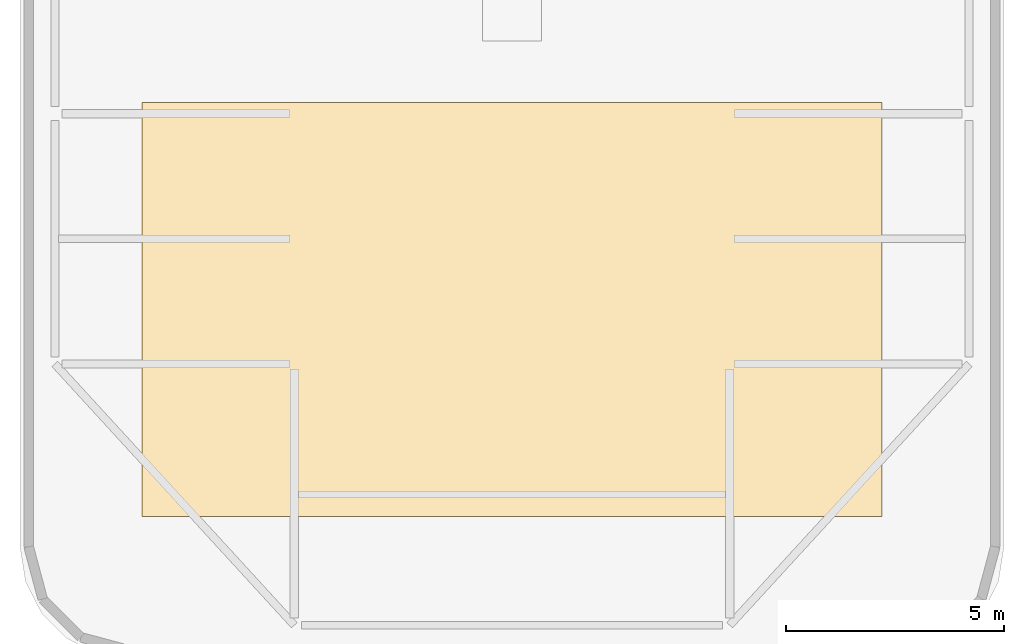
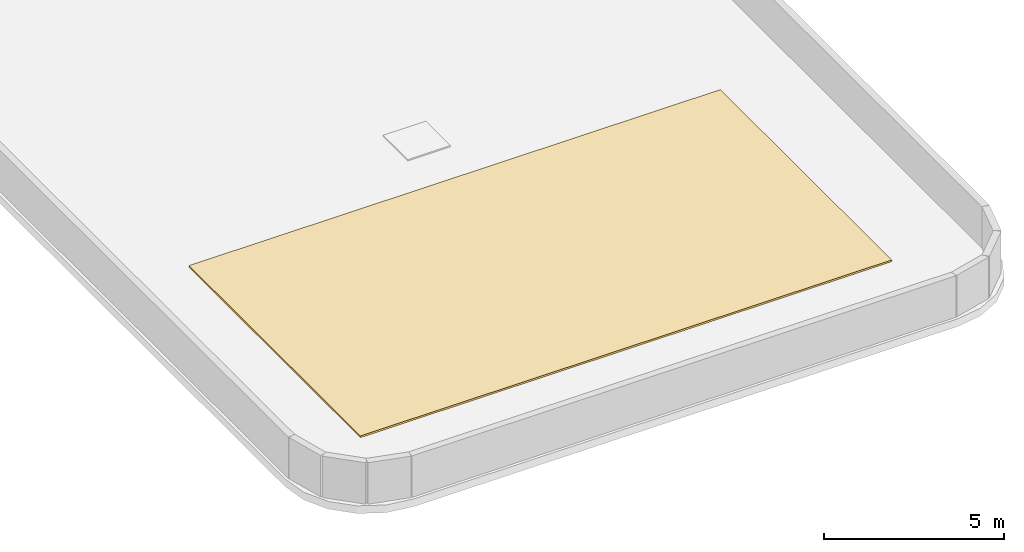
# One storey, part 2 of 2: 1 covering.
"""IFC4 building model written with IfcOpenShell, lengths in metres."""

import ifcopenshell
import ifcopenshell.guid

model = None  # the IFC model being written
_history = None  # IfcOwnerHistory: only IFC2X3 demands one
_inside = {}  # id of a spatial element -> (the spatial element, [elements in it])
_under = {}  # id of a project, library or spatial element -> (it, [spatial elements below it])
_declared = {}  # id of a project -> (the project, [libraries it declares])
_typed = {}  # id of a type object -> (the type object, [elements of that type])
_made_of = {}  # id of a material, layer set ... -> (it, [elements and type objects made of it])


def new_model(schema):
    """Start an empty IFC model of exactly this schema.

    Asked for "IFC4X3", IfcOpenShell would pick the latest addendum, in which some entities
    have other attributes; the version numbers below select the first issue.
    IFC2X3 requires an IfcOwnerHistory on every rooted entity: one is made here for all.
    """
    global model, _history
    if schema == "IFC4X3":
        model = ifcopenshell.file(schema_version=(4, 3, 0, 0))
    else:
        model = ifcopenshell.file(schema=schema)
    _inside.clear()
    _under.clear()
    _declared.clear()
    _typed.clear()
    _made_of.clear()
    _history = None
    if model.schema == "IFC2X3":
        org = make("IfcOrganization", Name="unknown")
        user = make(
            "IfcPersonAndOrganization",
            ThePerson=make("IfcPerson", FamilyName="unknown"),
            TheOrganization=org,
        )
        app = make(
            "IfcApplication",
            ApplicationDeveloper=org,
            Version="unknown",
            ApplicationFullName="unknown",
            ApplicationIdentifier="unknown",
        )
        _history = make(
            "IfcOwnerHistory",
            OwningUser=user,
            OwningApplication=app,
            ChangeAction="ADDED",
            CreationDate=0,
        )
    return model


def make(cls, **values):
    """One entity of the class cls with the attributes given. An attribute that is None is left unset."""
    return model.create_entity(
        cls, **{name: value for name, value in values.items() if value is not None}
    )


def rooted(cls, **values):
    """An entity with a GlobalId (a new one), such as an element, a storey or a relation."""
    return make(cls, GlobalId=ifcopenshell.guid.new(), OwnerHistory=_history, **values)


def si_unit(unit_type, name, prefix=None):
    """IfcSIUnit, for example si_unit("LENGTHUNIT", "METRE", prefix="MILLI")."""
    return make("IfcSIUnit", UnitType=unit_type, Prefix=prefix, Name=name)


def assignment(units):
    """IfcUnitAssignment: the units of a project."""
    return None if units is None else make("IfcUnitAssignment", Units=units)


def point(xyz):
    """IfcCartesianPoint."""
    return None if xyz is None else make("IfcCartesianPoint", Coordinates=xyz)


def direction(xyz):
    """IfcDirection."""
    return None if xyz is None else make("IfcDirection", DirectionRatios=xyz)


def frame(location, z_axis=None, x_axis=None):
    """IfcAxis2Placement3D, a coordinate frame: its origin and axes. An axis left out is left unset."""
    return make(
        "IfcAxis2Placement3D",
        Location=point(location),
        Axis=direction(z_axis),
        RefDirection=direction(x_axis),
    )


def origin():
    """The frame at (0, 0, 0) with its axes left unset."""
    return frame((0.0, 0.0, 0.0))


def place(relative_to, where):
    """IfcLocalPlacement: puts the frame where relative to a parent placement (None: the world)."""
    return make(
        "IfcLocalPlacement", PlacementRelTo=relative_to, RelativePlacement=where
    )


def context(
    kind, dimensions, precision=None, world=None, true_north=None, identifier=None
):
    """IfcGeometricRepresentationContext, for example the 3D "Model" context."""
    return make(
        "IfcGeometricRepresentationContext",
        ContextIdentifier=identifier,
        ContextType=kind,
        CoordinateSpaceDimension=dimensions,
        Precision=precision,
        WorldCoordinateSystem=world,
        TrueNorth=true_north,
    )


def subcontext(parent, identifier, kind, view, scale=None):
    """IfcGeometricRepresentationSubContext, for example "Body" below "Model"."""
    return make(
        "IfcGeometricRepresentationSubContext",
        ContextIdentifier=identifier,
        ContextType=kind,
        ParentContext=parent,
        TargetScale=scale,
        TargetView=view,
    )


def project(units=None, contexts=None):
    """IfcProject with its units and contexts."""
    return rooted(
        "IfcProject",
        Name="project",
        RepresentationContexts=contexts,
        UnitsInContext=assignment(units),
    )


def spatial(cls, under=None, at=None, **own):
    """A site, building, storey or space (cls), placed at a placement, below another one or the project."""
    s = rooted(cls, ObjectPlacement=at, **own)
    if under is not None:
        _under.setdefault(under.id(), (under, []))[1].append(s)
    return s


def polyline(points):
    """IfcPolyline through the points."""
    return make("IfcPolyline", Points=[point(p) for p in points])


def outline(outer, holes=None, kind="AREA"):
    """IfcArbitraryClosedProfileDef: a profile drawn as a closed curve; with holes, ...WithVoids."""
    if holes is None:
        return make("IfcArbitraryClosedProfileDef", ProfileType=kind, OuterCurve=outer)
    return make(
        "IfcArbitraryProfileDefWithVoids",
        ProfileType=kind,
        OuterCurve=outer,
        InnerCurves=holes,
    )


def extrude(swept, where, along, depth):
    """IfcExtrudedAreaSolid: the profile swept, set in the frame where, extruded along a direction by depth."""
    return make(
        "IfcExtrudedAreaSolid",
        SweptArea=swept,
        Position=where,
        ExtrudedDirection=direction(along),
        Depth=depth,
    )


def shape(context_of_items, identifier, shape_type, items):
    """IfcShapeRepresentation: the items that make up one representation, for example the "Body"."""
    return make(
        "IfcShapeRepresentation",
        ContextOfItems=context_of_items,
        RepresentationIdentifier=identifier,
        RepresentationType=shape_type,
        Items=items,
    )


def material(Name=None, Category=None):
    """IfcMaterial."""
    return make("IfcMaterial", Name=Name, Category=Category)


def layer(
    of_material, thickness, ventilated=None, Name=None, Category=None, Priority=None
):
    """IfcMaterialLayer: one layer of a wall or slab, of a material (None: an air gap)."""
    return make(
        "IfcMaterialLayer",
        Material=of_material,
        LayerThickness=thickness,
        IsVentilated=ventilated,
        Name=Name,
        Category=Category,
        Priority=Priority,
    )


def layer_set(layers, Name=None):
    """IfcMaterialLayerSet."""
    return make("IfcMaterialLayerSet", MaterialLayers=layers, LayerSetName=Name)


def made_of(thing, what):
    """Note that an element or type object is made of a material, layer set ...; save() writes the relation."""
    if what is not None:
        _made_of.setdefault(what.id(), (what, []))[1].append(thing)
    return thing


def type_object(cls, material=None, **own):
    """A type object (cls), such as IfcWallType, which elements share."""
    return made_of(rooted(cls, **own), material)


def element(
    cls,
    number,
    at=None,
    inside=None,
    cuts=None,
    type_object=None,
    material=None,
    context=None,
    identifier="Body",
    shape_type=None,
    held_by="IfcProductDefinitionShape",
    body=None,
    shapes=None,
    **own,
):
    """One element of the class cls, such as IfcWall. Its Tag is "e" and its number.

    at: its placement. inside: the storey or other place that contains it. cuts: it is an
    opening in that element (IfcRelVoidsElement). A single representation is given by context,
    identifier, shape_type and body (its items); several are given by shapes. held_by: the class
    of the entity that holds the representations. save() writes the other relations.
    """
    e = rooted(cls, Tag="e%d" % number, ObjectPlacement=at, **own)
    if body is not None:
        shapes = [shape(context, identifier, shape_type, body)]
    if shapes is not None:
        e.Representation = make(held_by, Representations=shapes)
    if inside is not None:
        _inside.setdefault(inside.id(), (inside, []))[1].append(e)
    if cuts is not None:
        rooted(
            "IfcRelVoidsElement", RelatingBuildingElement=cuts, RelatedOpeningElement=e
        )
    if type_object is not None:
        _typed.setdefault(type_object.id(), (type_object, []))[1].append(e)
    return made_of(e, material)


def aggregate(whole, parts):
    """IfcRelAggregates: a whole, such as a stair, and the parts it consists of."""
    return rooted("IfcRelAggregates", RelatingObject=whole, RelatedObjects=parts)


def save(model, path):
    """Write the relations noted so far, then the file.

    IfcRelAggregates (storeys below a building ...), IfcRelContainedInSpatialStructure (elements
    in a storey), IfcRelDefinesByType, IfcRelAssociatesMaterial and IfcRelDeclares: one each for
    every whole, place, type object, material and project.
    """
    for whole, parts in _under.values():
        aggregate(whole, parts)
    for where, things in _inside.values():
        rooted(
            "IfcRelContainedInSpatialStructure",
            RelatedElements=things,
            RelatingStructure=where,
        )
    for kind, things in _typed.values():
        rooted("IfcRelDefinesByType", RelatedObjects=things, RelatingType=kind)
    for what, things in _made_of.values():
        rooted("IfcRelAssociatesMaterial", RelatedObjects=things, RelatingMaterial=what)
    for by, libraries in _declared.values():
        rooted("IfcRelDeclares", RelatingContext=by, RelatedDefinitions=libraries)
    model.write(path)


model = new_model("IFC4")

# Units and contexts
model_context = context("Model", 3, precision=1e-05, world=origin(), true_north=direction((0.0, 1.0)))
body_context = subcontext(model_context, "Body", "Model", "MODEL_VIEW")
ifc_project = project(units=[si_unit("LENGTHUNIT", "METRE"), si_unit("AREAUNIT", "SQUARE_METRE"), si_unit("VOLUMEUNIT", "CUBIC_METRE"), si_unit("PLANEANGLEUNIT", "RADIAN"), si_unit("MASSUNIT", "GRAM", prefix="KILO")], contexts=[model_context])

# Site, building, storey
site_placement = place(None, origin())
site = spatial("IfcSite", under=ifc_project, at=site_placement, CompositionType="ELEMENT")
building_placement = place(site_placement, origin())
building = spatial("IfcBuilding", under=site, at=building_placement, Name="Kolveth Station Tower", CompositionType="ELEMENT")
storey_placement = place(building_placement, frame((0.0, 0.0, 296.5)))
storey = spatial("IfcBuildingStorey", under=building, at=storey_placement, Name="RF", CompositionType="ELEMENT", Elevation=296.5)

# Covering
ifc_material = material(Name="Insulated EPDM roofing membrane")
ifc_layer = layer(ifc_material, 0.06005859375)
ifc_layer_set = layer_set([ifc_layer], Name="Insulated EPDM roofing membrane")
covering_type = type_object("IfcCoveringType", Name="Roof_RF1", PredefinedType="ROOFING", material=ifc_layer_set)
covering_placement = place(storey_placement, origin())
element("IfcCovering", 1, at=covering_placement, inside=storey, type_object=covering_type, Name="RF Crown Insulated Roofing Membrane", PredefinedType="ROOFING", context=body_context, shape_type="SweptSolid", body=[
    extrude(outline(polyline([(15.0, 8.0), (32.0, 8.0), (32.0, 17.5), (15.0, 17.5), (15.0, 8.0)])), origin(), (0.0, 0.0, 1.0), 0.06005859375),
])

save(model, "model.ifc")
